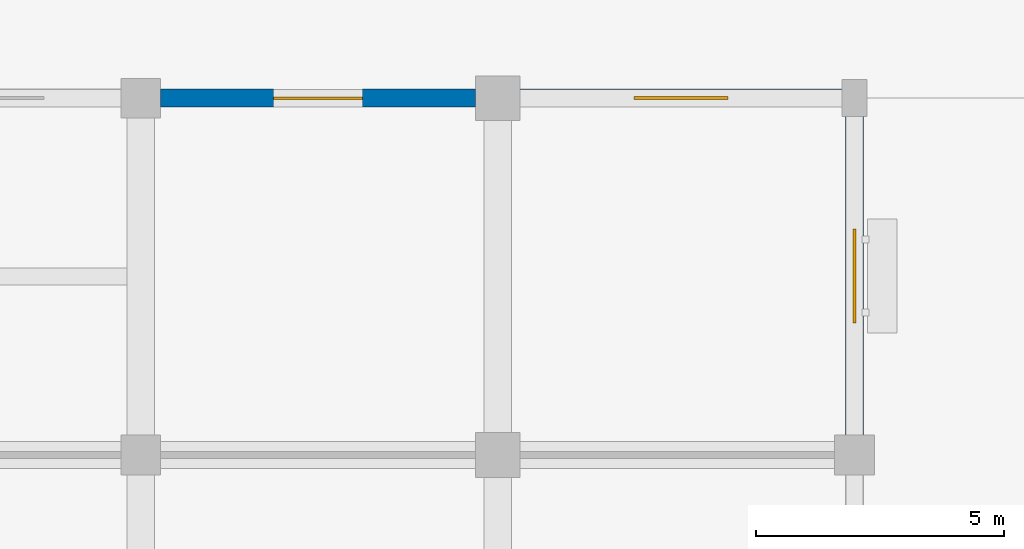
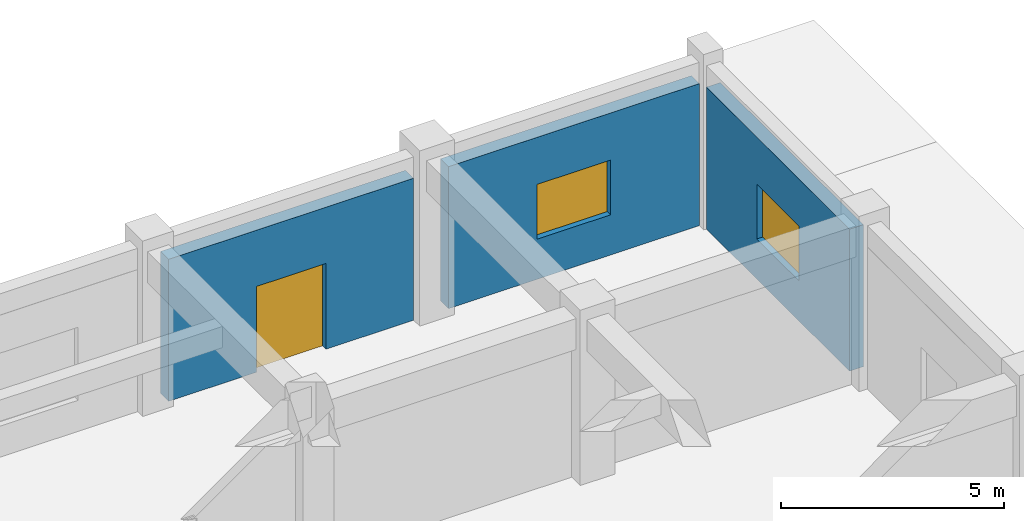
# One storey, part 21 of 37: 3 walls, 2 windows, 1 door, 3 openings.
"""IFC4 building model written with IfcOpenShell, lengths in metres."""

import ifcopenshell
import ifcopenshell.guid

model = None  # the IFC model being written
_history = None  # IfcOwnerHistory: only IFC2X3 demands one
_inside = {}  # id of a spatial element -> (the spatial element, [elements in it])
_under = {}  # id of a project, library or spatial element -> (it, [spatial elements below it])
_declared = {}  # id of a project -> (the project, [libraries it declares])
_typed = {}  # id of a type object -> (the type object, [elements of that type])
_made_of = {}  # id of a material, layer set ... -> (it, [elements and type objects made of it])


def new_model(schema):
    """Start an empty IFC model of exactly this schema.

    Asked for "IFC4X3", IfcOpenShell would pick the latest addendum, in which some entities
    have other attributes; the version numbers below select the first issue.
    IFC2X3 requires an IfcOwnerHistory on every rooted entity: one is made here for all.
    """
    global model, _history
    if schema == "IFC4X3":
        model = ifcopenshell.file(schema_version=(4, 3, 0, 0))
    else:
        model = ifcopenshell.file(schema=schema)
    _inside.clear()
    _under.clear()
    _declared.clear()
    _typed.clear()
    _made_of.clear()
    _history = None
    if model.schema == "IFC2X3":
        org = make("IfcOrganization", Name="unknown")
        user = make(
            "IfcPersonAndOrganization",
            ThePerson=make("IfcPerson", FamilyName="unknown"),
            TheOrganization=org,
        )
        app = make(
            "IfcApplication",
            ApplicationDeveloper=org,
            Version="unknown",
            ApplicationFullName="unknown",
            ApplicationIdentifier="unknown",
        )
        _history = make(
            "IfcOwnerHistory",
            OwningUser=user,
            OwningApplication=app,
            ChangeAction="ADDED",
            CreationDate=0,
        )
    return model


def make(cls, **values):
    """One entity of the class cls with the attributes given. An attribute that is None is left unset."""
    return model.create_entity(
        cls, **{name: value for name, value in values.items() if value is not None}
    )


def rooted(cls, **values):
    """An entity with a GlobalId (a new one), such as an element, a storey or a relation."""
    return make(cls, GlobalId=ifcopenshell.guid.new(), OwnerHistory=_history, **values)


def si_unit(unit_type, name, prefix=None):
    """IfcSIUnit, for example si_unit("LENGTHUNIT", "METRE", prefix="MILLI")."""
    return make("IfcSIUnit", UnitType=unit_type, Prefix=prefix, Name=name)


def assignment(units):
    """IfcUnitAssignment: the units of a project."""
    return None if units is None else make("IfcUnitAssignment", Units=units)


def point(xyz):
    """IfcCartesianPoint."""
    return None if xyz is None else make("IfcCartesianPoint", Coordinates=xyz)


def direction(xyz):
    """IfcDirection."""
    return None if xyz is None else make("IfcDirection", DirectionRatios=xyz)


def frame(location, z_axis=None, x_axis=None):
    """IfcAxis2Placement3D, a coordinate frame: its origin and axes. An axis left out is left unset."""
    return make(
        "IfcAxis2Placement3D",
        Location=point(location),
        Axis=direction(z_axis),
        RefDirection=direction(x_axis),
    )


def frame_2d(location, x_axis=None):
    """IfcAxis2Placement2D, a coordinate frame in the plane: its origin and x axis."""
    return make(
        "IfcAxis2Placement2D", Location=point(location), RefDirection=direction(x_axis)
    )


def origin():
    """The frame at (0, 0, 0) with its axes left unset."""
    return frame((0.0, 0.0, 0.0))


def place(relative_to, where):
    """IfcLocalPlacement: puts the frame where relative to a parent placement (None: the world)."""
    return make(
        "IfcLocalPlacement", PlacementRelTo=relative_to, RelativePlacement=where
    )


def context(
    kind, dimensions, precision=None, world=None, true_north=None, identifier=None
):
    """IfcGeometricRepresentationContext, for example the 3D "Model" context."""
    return make(
        "IfcGeometricRepresentationContext",
        ContextIdentifier=identifier,
        ContextType=kind,
        CoordinateSpaceDimension=dimensions,
        Precision=precision,
        WorldCoordinateSystem=world,
        TrueNorth=true_north,
    )


def subcontext(parent, identifier, kind, view, scale=None):
    """IfcGeometricRepresentationSubContext, for example "Body" below "Model"."""
    return make(
        "IfcGeometricRepresentationSubContext",
        ContextIdentifier=identifier,
        ContextType=kind,
        ParentContext=parent,
        TargetScale=scale,
        TargetView=view,
    )


def project(units=None, contexts=None):
    """IfcProject with its units and contexts."""
    return rooted(
        "IfcProject",
        Name="project",
        RepresentationContexts=contexts,
        UnitsInContext=assignment(units),
    )


def spatial(cls, under=None, at=None, **own):
    """A site, building, storey or space (cls), placed at a placement, below another one or the project."""
    s = rooted(cls, ObjectPlacement=at, **own)
    if under is not None:
        _under.setdefault(under.id(), (under, []))[1].append(s)
    return s


def profile(cls, at=None, kind="AREA", **sizes):
    """A parametric profile (cls). Its sizes go by their IFC names, for example OverallWidth=200.0."""
    return make(cls, ProfileType=kind, Position=at, **sizes)


def rectangle(**sizes):
    """IfcRectangleProfileDef."""
    return profile("IfcRectangleProfileDef", **sizes)


def extrude(swept, where, along, depth):
    """IfcExtrudedAreaSolid: the profile swept, set in the frame where, extruded along a direction by depth."""
    return make(
        "IfcExtrudedAreaSolid",
        SweptArea=swept,
        Position=where,
        ExtrudedDirection=direction(along),
        Depth=depth,
    )


def shape(context_of_items, identifier, shape_type, items):
    """IfcShapeRepresentation: the items that make up one representation, for example the "Body"."""
    return make(
        "IfcShapeRepresentation",
        ContextOfItems=context_of_items,
        RepresentationIdentifier=identifier,
        RepresentationType=shape_type,
        Items=items,
    )


def material(Name=None, Category=None):
    """IfcMaterial."""
    return make("IfcMaterial", Name=Name, Category=Category)


def layer(
    of_material, thickness, ventilated=None, Name=None, Category=None, Priority=None
):
    """IfcMaterialLayer: one layer of a wall or slab, of a material (None: an air gap)."""
    return make(
        "IfcMaterialLayer",
        Material=of_material,
        LayerThickness=thickness,
        IsVentilated=ventilated,
        Name=Name,
        Category=Category,
        Priority=Priority,
    )


def layer_set(layers, Name=None):
    """IfcMaterialLayerSet."""
    return make("IfcMaterialLayerSet", MaterialLayers=layers, LayerSetName=Name)


def made_of(thing, what):
    """Note that an element or type object is made of a material, layer set ...; save() writes the relation."""
    if what is not None:
        _made_of.setdefault(what.id(), (what, []))[1].append(thing)
    return thing


def type_object(cls, material=None, **own):
    """A type object (cls), such as IfcWallType, which elements share."""
    return made_of(rooted(cls, **own), material)


def element(
    cls,
    number,
    at=None,
    inside=None,
    cuts=None,
    type_object=None,
    material=None,
    context=None,
    identifier="Body",
    shape_type=None,
    held_by="IfcProductDefinitionShape",
    body=None,
    shapes=None,
    **own,
):
    """One element of the class cls, such as IfcWall. Its Tag is "e" and its number.

    at: its placement. inside: the storey or other place that contains it. cuts: it is an
    opening in that element (IfcRelVoidsElement). A single representation is given by context,
    identifier, shape_type and body (its items); several are given by shapes. held_by: the class
    of the entity that holds the representations. save() writes the other relations.
    """
    e = rooted(cls, Tag="e%d" % number, ObjectPlacement=at, **own)
    if body is not None:
        shapes = [shape(context, identifier, shape_type, body)]
    if shapes is not None:
        e.Representation = make(held_by, Representations=shapes)
    if inside is not None:
        _inside.setdefault(inside.id(), (inside, []))[1].append(e)
    if cuts is not None:
        rooted(
            "IfcRelVoidsElement", RelatingBuildingElement=cuts, RelatedOpeningElement=e
        )
    if type_object is not None:
        _typed.setdefault(type_object.id(), (type_object, []))[1].append(e)
    return made_of(e, material)


def fill(opening, filler):
    """IfcRelFillsElement: the door or window that sits in an opening."""
    return rooted(
        "IfcRelFillsElement",
        RelatingOpeningElement=opening,
        RelatedBuildingElement=filler,
    )


def aggregate(whole, parts):
    """IfcRelAggregates: a whole, such as a stair, and the parts it consists of."""
    return rooted("IfcRelAggregates", RelatingObject=whole, RelatedObjects=parts)


def save(model, path):
    """Write the relations noted so far, then the file.

    IfcRelAggregates (storeys below a building ...), IfcRelContainedInSpatialStructure (elements
    in a storey), IfcRelDefinesByType, IfcRelAssociatesMaterial and IfcRelDeclares: one each for
    every whole, place, type object, material and project.
    """
    for whole, parts in _under.values():
        aggregate(whole, parts)
    for where, things in _inside.values():
        rooted(
            "IfcRelContainedInSpatialStructure",
            RelatedElements=things,
            RelatingStructure=where,
        )
    for kind, things in _typed.values():
        rooted("IfcRelDefinesByType", RelatedObjects=things, RelatingType=kind)
    for what, things in _made_of.values():
        rooted("IfcRelAssociatesMaterial", RelatedObjects=things, RelatingMaterial=what)
    for by, libraries in _declared.values():
        rooted("IfcRelDeclares", RelatingContext=by, RelatedDefinitions=libraries)
    model.write(path)


model = new_model("IFC4")

# Units and contexts
model_context = context("Model", 3, precision=1e-05, world=origin(), true_north=direction((0.0, 1.0)))
body_context = subcontext(model_context, "Body", "Model", "MODEL_VIEW")
ifc_project = project(units=[si_unit("LENGTHUNIT", "METRE"), si_unit("AREAUNIT", "SQUARE_METRE"), si_unit("VOLUMEUNIT", "CUBIC_METRE"), si_unit("PLANEANGLEUNIT", "RADIAN"), si_unit("MASSUNIT", "GRAM", prefix="KILO")], contexts=[model_context])

# Site, building, storey
site_placement = place(None, origin())
site = spatial("IfcSite", under=ifc_project, at=site_placement, CompositionType="ELEMENT")
building_placement = place(site_placement, origin())
building = spatial("IfcBuilding", under=site, at=building_placement, Name="Cendaluz Park School", CompositionType="ELEMENT")
storey_placement = place(building_placement, origin())
storey = spatial("IfcBuildingStorey", under=building, at=storey_placement, Name="L00", CompositionType="ELEMENT", Elevation=0.0)

# Wall, opening, door
ifc_material_1 = material(Name="Concrete C40/50 precast", Category="concrete")
ifc_layer = layer(ifc_material_1, 0.360107421875)
ifc_layer_set = layer_set([ifc_layer], Name="Concrete C40/50 precast")
wall_type = type_object("IfcWallType", Name="W-EX36", PredefinedType="SOLIDWALL", material=ifc_layer_set)
wall_1_placement = place(storey_placement, frame((158.800048828125, 115.199951171875, 0.0), z_axis=(0.0, 0.0, 1.0), x_axis=(1.0, 0.0, 0.0)))
wall_1 = element("IfcWall", 1, at=wall_1_placement, inside=storey, type_object=wall_type, Name="WL-FA-AL1", PredefinedType="SOLIDWALL", context=body_context, shape_type="SweptSolid", body=[
    extrude(rectangle(XDim=6.349853515625, YDim=0.360107421875, at=frame_2d((3.1748046875, 0.0))), origin(), (0.0, 0.0, 1.0), 3.889892578125),
])
opening_1_placement = place(wall_1_placement, frame((2.27490234375, 0.0, 0.0)))
opening_1 = element("IfcOpeningElement", 2, at=opening_1_placement, cuts=wall_1, Name="Opening DEX-03", PredefinedType="OPENING", context=body_context, shape_type="SweptSolid", body=[
    extrude(rectangle(XDim=1.800048828125, YDim=2.35009765625, at=frame_2d((0.89990234375, 1.175048828125))), frame((0.0, 0.192138671875, 0.0), z_axis=(0.0, -1.0, 0.0), x_axis=(1.0, 0.0, 0.0)), (0.0, 0.0, 1.0), 0.384033203125),
])
ifc_material_2 = material(Name="Architectural Bronze")
door_type = type_object("IfcDoorType", Name="DEX-03", OperationType="DOUBLE_DOOR_SINGLE_SWING", PredefinedType="DOOR", material=ifc_material_2)
door_placement = place(opening_1_placement, origin())
door = element("IfcDoor", 3, at=door_placement, inside=storey, type_object=door_type, Name="D-L00-029", OperationType="DOUBLE_DOOR_SINGLE_SWING", OverallHeight=2.35009765625, OverallWidth=1.800048828125, PredefinedType="DOOR", context=body_context, shape_type="SweptSolid", body=[
    extrude(rectangle(XDim=1.800048828125, YDim=2.35009765625, at=frame_2d((0.89990234375, 1.175048828125))), frame((0.0, 0.02490234375, 0.0), z_axis=(0.0, -1.0, 0.0), x_axis=(1.0, 0.0, 0.0)), (0.0, 0.0, 1.0), 0.050048828125),
])
fill(opening_1, door)

# Wall, opening, window
wall_2_placement = place(storey_placement, frame((166.050048828125, 115.199951171875, 0.0), z_axis=(0.0, 0.0, 1.0), x_axis=(1.0, 0.0, 0.0)))
wall_2 = element("IfcWall", 4, at=wall_2_placement, inside=storey, type_object=wall_type, Name="WL-FA-AM6", PredefinedType="SOLIDWALL", context=body_context, shape_type="SweptSolid", body=[
    extrude(rectangle(XDim=6.5, YDim=0.360107421875, at=frame_2d((3.25, 0.0))), origin(), (0.0, 0.0, 1.0), 3.889892578125),
])
opening_2_placement = place(wall_2_placement, frame((2.300048828125, 0.0, 1.10009765625)))
opening_2 = element("IfcOpeningElement", 5, at=opening_2_placement, cuts=wall_2, Name="Opening WN-17", PredefinedType="OPENING", context=body_context, shape_type="SweptSolid", body=[
    extrude(rectangle(XDim=1.89990234375, YDim=1.5, at=frame_2d((0.949951171875, 0.75))), frame((0.0, 0.192138671875, 0.0), z_axis=(0.0, -1.0, 0.0), x_axis=(1.0, 0.0, 0.0)), (0.0, 0.0, 1.0), 0.384033203125),
])
ifc_material_3 = material(Name="Tempered Low-E Double Glazing", Category="glass")
window_type = type_object("IfcWindowType", Name="WN-17", PartitioningType="SINGLE_PANEL", PredefinedType="WINDOW", material=ifc_material_3)
window_1_placement = place(opening_2_placement, origin())
window_1 = element("IfcWindow", 6, at=window_1_placement, inside=storey, type_object=window_type, Name="WN-L00-098", OverallHeight=1.5, OverallWidth=1.89990234375, PartitioningType="SINGLE_PANEL", PredefinedType="WINDOW", context=body_context, shape_type="SweptSolid", body=[
    extrude(rectangle(XDim=1.89990234375, YDim=1.5, at=frame_2d((0.949951171875, 0.75))), frame((0.0, 0.030029296875, 0.0), z_axis=(0.0, -1.0, 0.0), x_axis=(1.0, 0.0, 0.0)), (0.0, 0.0, 1.0), 0.06005859375),
])
fill(opening_2, window_1)

wall_3_placement = place(storey_placement, frame((172.800048828125, 108.39990234375, 0.0), z_axis=(0.0, 0.0, 1.0), x_axis=(0.0, 1.0, 0.0)))
wall_3 = element("IfcWall", 7, at=wall_3_placement, inside=storey, type_object=wall_type, Name="WL-FA-AM7", PredefinedType="SOLIDWALL", context=body_context, shape_type="SweptSolid", body=[
    extrude(rectangle(XDim=6.425048828125, YDim=0.360107421875, at=frame_2d((3.21240234375, 0.0))), origin(), (0.0, 0.0, 1.0), 3.889892578125),
])
opening_3_placement = place(wall_3_placement, frame((2.262451171875, 0.0, 1.10009765625)))
opening_3 = element("IfcOpeningElement", 8, at=opening_3_placement, cuts=wall_3, Name="Opening WN-17", PredefinedType="OPENING", context=body_context, shape_type="SweptSolid", body=[
    extrude(rectangle(XDim=1.89990234375, YDim=1.5, at=frame_2d((0.949951171875, 0.75))), frame((0.0, 0.192138671875, 0.0), z_axis=(0.0, -1.0, 0.0), x_axis=(1.0, 0.0, 0.0)), (0.0, 0.0, 1.0), 0.384033203125),
])
window_2_placement = place(opening_3_placement, origin())
window_2 = element("IfcWindow", 9, at=window_2_placement, inside=storey, type_object=window_type, Name="WN-L00-099", OverallHeight=1.5, OverallWidth=1.89990234375, PartitioningType="SINGLE_PANEL", PredefinedType="WINDOW", context=body_context, shape_type="SweptSolid", body=[
    extrude(rectangle(XDim=1.89990234375, YDim=1.5, at=frame_2d((0.949951171875, 0.75))), frame((0.0, 0.030029296875, 0.0), z_axis=(0.0, -1.0, 0.0), x_axis=(1.0, 0.0, 0.0)), (0.0, 0.0, 1.0), 0.06005859375),
])
fill(opening_3, window_2)

save(model, "model.ifc")
